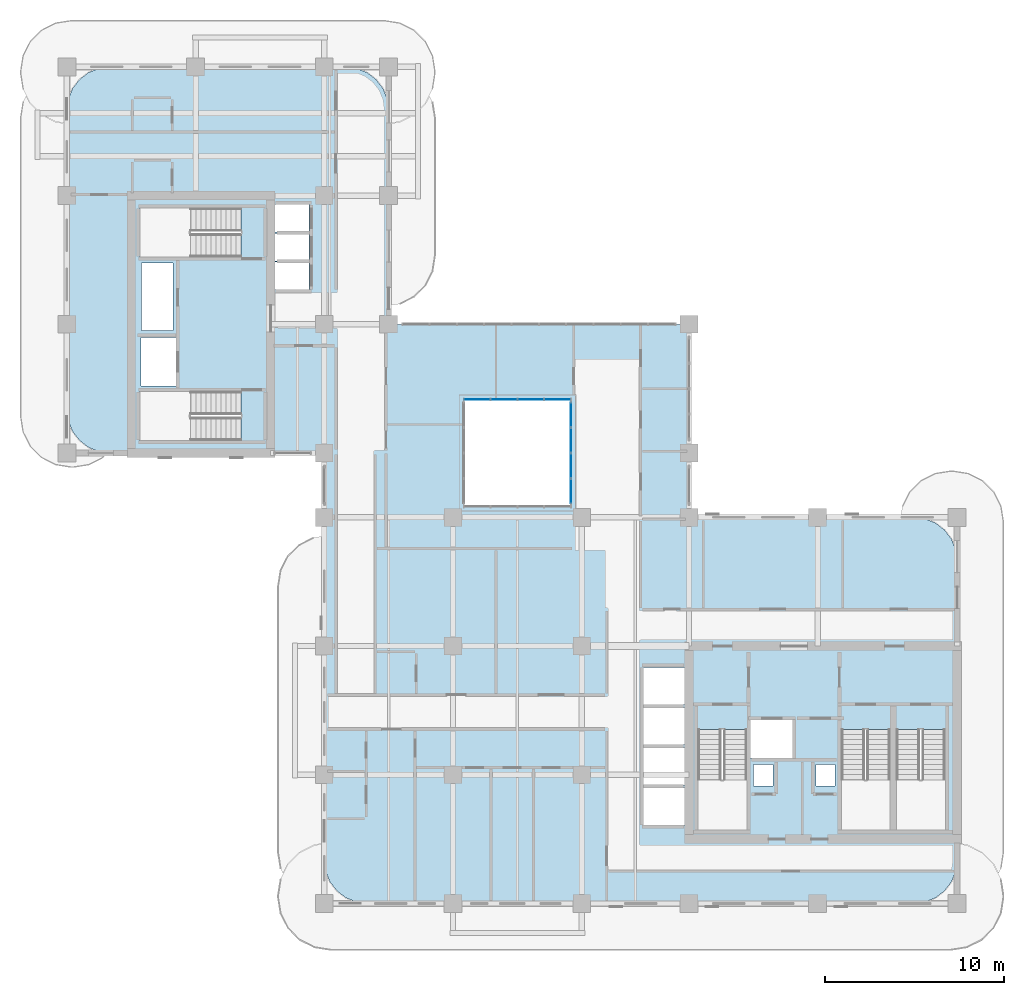
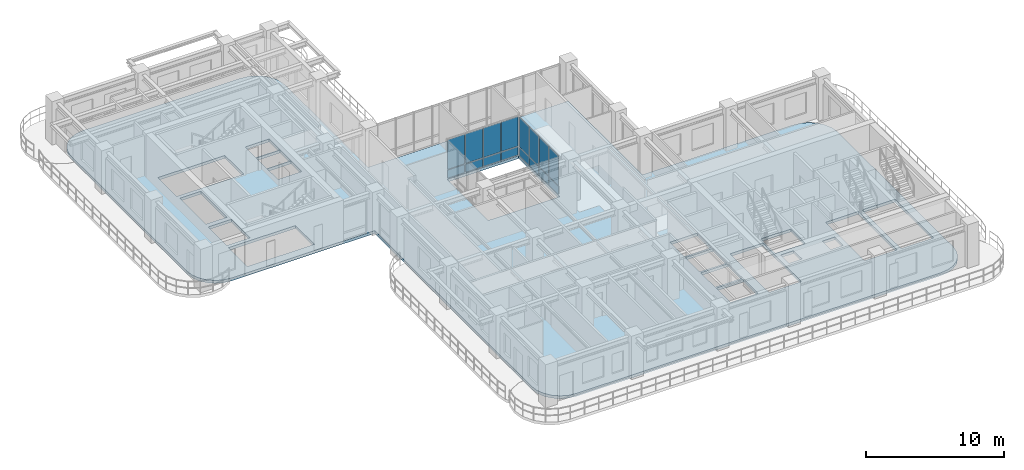
# One storey, part 8 of 20: 16 plates, 1 slab, 2 elements without a shape of their own.
"""IFC4 building model written with IfcOpenShell, lengths in metres."""

from ifc_helpers import new_model, si_unit, derived_unit, direction, frame, origin, origin_2d, place, context, subcontext, project, spatial, polyline, rectangle, outline, extrude, source, transform, mapped, material, layer, layer_set, type_object, element, aggregate, save


model = new_model("IFC4")

# Units and contexts
model_context = context("Model", 3, precision=1e-05, world=origin(), true_north=direction((0.0, 1.0)))
body_context = subcontext(model_context, "Body", "Model", "MODEL_VIEW")
ifc_project = project(units=[si_unit("LENGTHUNIT", "METRE"), si_unit("AREAUNIT", "SQUARE_METRE"), si_unit("VOLUMEUNIT", "CUBIC_METRE"), si_unit("PLANEANGLEUNIT", "RADIAN"), si_unit("MASSUNIT", "GRAM", prefix="KILO"), si_unit("THERMODYNAMICTEMPERATUREUNIT", "KELVIN"), si_unit("POWERUNIT", "WATT"), derived_unit("THERMALTRANSMITTANCEUNIT", [(si_unit("POWERUNIT", "WATT"), 1), (si_unit("AREAUNIT", "SQUARE_METRE"), -1), (si_unit("THERMODYNAMICTEMPERATUREUNIT", "KELVIN"), -1)])], contexts=[model_context])

# Site, building, storey
site_placement = place(None, origin())
site = spatial("IfcSite", under=ifc_project, at=site_placement, CompositionType="ELEMENT")
building_placement = place(site_placement, origin())
building = spatial("IfcBuilding", under=site, at=building_placement, Name="Zahravan Archway Hotel and Residences", CompositionType="ELEMENT")
storey_placement = place(building_placement, frame((0.0, 0.0, 177.25)))
storey = spatial("IfcBuildingStorey", under=building, at=storey_placement, Name="L44", CompositionType="ELEMENT", Elevation=177.25)

# Slab
ifc_material_1 = material(Name="Concrete C45/55", Category="concrete")
ifc_layer_1 = layer(ifc_material_1, 0.25, Name="Concrete C45/55", Category="concrete")
ifc_layer_set_1 = layer_set([ifc_layer_1], Name="Concrete C45/55")
slab_type = type_object("IfcSlabType", Name="SLB-FLR-250", PredefinedType="FLOOR", material=ifc_layer_set_1)
slab_placement = place(storey_placement, frame((0.0, 0.0, -0.25)))
element("IfcSlab", 1, at=slab_placement, inside=storey, type_object=slab_type, Name="L44 Floor Slab LB", PredefinedType="FLOOR", context=body_context, shape_type="SweptSolid", body=[
    extrude(outline(polyline([(34.800048828125, 21.60009765625), (34.800048828125, 32.39990234375), (18.0, 32.39990234375), (18.0, 44.39990234375), (17.918212890625, 45.021240234375), (17.678466796875, 45.60009765625), (17.297119140625, 46.09716796875), (16.800048828125, 46.478515625), (16.22119140625, 46.71826171875), (15.60009765625, 46.800048828125), (2.39990234375, 46.800048828125), (1.77880859375, 46.71826171875), (1.199951171875, 46.478515625), (0.702880859375, 46.09716796875), (0.321533203125, 45.60009765625), (0.081787109375, 45.021240234375), (0.0, 44.39990234375), (0.0, 27.60009765625), (0.081787109375, 26.978759765625), (0.321533203125, 26.39990234375), (0.702880859375, 25.90283203125), (1.199951171875, 25.521484375), (1.77880859375, 25.28173828125), (2.39990234375, 25.199951171875), (14.39990234375, 25.199951171875), (14.39990234375, 19.199951171875), (14.39990234375, 19.10009765625), (14.39990234375, 2.39990234375), (14.481689453125, 1.77880859375), (14.721435546875, 1.199951171875), (15.102783203125, 0.702880859375), (15.60009765625, 0.321533203125), (16.1787109375, 0.081787109375), (16.800048828125, 0.0), (47.39990234375, 0.0), (48.021240234375, 0.081787109375), (48.60009765625, 0.321533203125), (49.09716796875, 0.702880859375), (49.478515625, 1.199951171875), (49.71826171875, 1.77880859375), (49.800048828125, 2.39990234375), (49.800048828125, 19.199951171875), (49.71826171875, 19.8212890625), (49.478515625, 20.39990234375), (49.09716796875, 20.897216796875), (48.60009765625, 21.278564453125), (48.021240234375, 21.518310546875), (47.39990234375, 21.60009765625), (34.800048828125, 21.60009765625)]), holes=[polyline([(35.300048828125, 9.72998046875), (35.300048828125, 4.10009765625), (38.0400390625, 4.10009765625), (38.0400390625, 9.72998046875), (35.300048828125, 9.72998046875)]), polyline([(43.320068359375, 9.72998046875), (43.320068359375, 4.10009765625), (46.06005859375, 4.10009765625), (46.06005859375, 9.72998046875), (43.320068359375, 9.72998046875)]), polyline([(46.39990234375, 9.72998046875), (46.39990234375, 4.10009765625), (49.139892578125, 4.10009765625), (49.139892578125, 9.72998046875), (46.39990234375, 9.72998046875)]), polyline([(9.72998046875, 28.639892578125), (4.10009765625, 28.639892578125), (4.10009765625, 25.89990234375), (9.72998046875, 25.89990234375), (9.72998046875, 28.639892578125)]), polyline([(9.72998046875, 38.89990234375), (4.10009765625, 38.89990234375), (4.10009765625, 36.159912109375), (9.72998046875, 36.159912109375), (9.72998046875, 38.89990234375)]), polyline([(38.179931640625, 8.14990234375), (40.699951171875, 8.14990234375), (40.699951171875, 10.25), (38.179931640625, 10.25), (38.179931640625, 8.14990234375)]), polyline([(4.14990234375, 28.949951171875), (6.10009765625, 28.949951171875), (6.10009765625, 31.64990234375), (4.14990234375, 31.64990234375), (4.14990234375, 28.949951171875)]), polyline([(11.550048828125, 34.35009765625), (13.550048828125, 34.35009765625), (13.550048828125, 35.889892578125), (11.550048828125, 35.889892578125), (11.550048828125, 34.35009765625)]), polyline([(11.550048828125, 35.949951171875), (13.550048828125, 35.949951171875), (13.550048828125, 37.489990234375), (11.550048828125, 37.489990234375), (11.550048828125, 35.949951171875)]), polyline([(11.550048828125, 37.550048828125), (13.550048828125, 37.550048828125), (13.550048828125, 39.090087890625), (11.550048828125, 39.090087890625), (11.550048828125, 37.550048828125)]), polyline([(32.25, 4.39990234375), (34.550048828125, 4.39990234375), (34.550048828125, 6.47998046875), (32.25, 6.47998046875), (32.25, 4.39990234375)]), polyline([(32.25, 6.639892578125), (34.550048828125, 6.639892578125), (34.550048828125, 8.719970703125), (32.25, 8.719970703125), (32.25, 6.639892578125)]), polyline([(32.25, 8.8798828125), (34.550048828125, 8.8798828125), (34.550048828125, 10.9599609375), (32.25, 10.9599609375), (32.25, 8.8798828125)]), polyline([(32.25, 11.1201171875), (34.550048828125, 11.1201171875), (34.550048828125, 13.199951171875), (32.25, 13.199951171875), (32.25, 11.1201171875)]), polyline([(22.199951171875, 22.199951171875), (28.199951171875, 22.199951171875), (28.199951171875, 28.199951171875), (22.199951171875, 28.199951171875), (22.199951171875, 22.199951171875)]), polyline([(38.419921875, 6.56005859375), (39.5, 6.56005859375), (39.5, 7.780029296875), (38.419921875, 7.780029296875), (38.419921875, 6.56005859375)]), polyline([(41.89990234375, 6.56005859375), (42.9599609375, 6.56005859375), (42.9599609375, 7.780029296875), (41.89990234375, 7.780029296875), (41.89990234375, 6.56005859375)]), polyline([(4.179931640625, 32.050048828125), (5.93994140625, 32.050048828125), (5.93994140625, 35.840087890625), (4.179931640625, 35.840087890625), (4.179931640625, 32.050048828125)])]), origin(), (0.0, 0.0, 1.0), 0.25),
])

# Curtain wall, plates
ifc_material_2 = material(Name="Bronze-Anodized Unitised Aluminium & Low-E Glass", Category="aluminium")
ifc_layer_2 = layer(ifc_material_2, 0.179931640625, Name="Bronze-Anodized Unitised Aluminium & Low-E Glass", Category="aluminium")
ifc_layer_set_2 = layer_set([ifc_layer_2], Name="Bronze-Anodized Unitised Aluminium & Low-E Glass")
curtain_wall_type = type_object("IfcCurtainWallType", Name="CW-ATR-GLAZ", PredefinedType="NOTDEFINED", material=ifc_layer_set_2)
curtain_wall_1_placement = place(storey_placement, origin())
curtain_wall_1 = element("IfcCurtainWall", 2, at=curtain_wall_1_placement, inside=storey, type_object=curtain_wall_type, Name="L44 Curtain Wall CW-ATR-L44-N-1", PredefinedType="NOTDEFINED")
ifc_material_3 = material(Name="Insulated Terracotta Spandrel Panel", Category="masonry")
ifc_layer_3 = layer(ifc_material_3, 0.0400390625, Name="Insulated Terracotta Spandrel Panel", Category="masonry")
ifc_layer_set_3 = layer_set([ifc_layer_3], Name="Insulated Terracotta Spandrel Panel")
plate_type_1 = type_object("IfcPlateType", Name="CWP-SPN-40", PredefinedType="SHEET", material=ifc_layer_set_3)
shared_shape_1 = source(origin(), body_context, "Body", "SweptSolid", [
    extrude(rectangle(XDim=1.419921875, YDim=0.0400390625, at=origin_2d()), origin(), (0.0, 0.0, 1.0), 0.7099609375),
])
plate_1_placement = place(storey_placement, frame((22.949951171875, 28.199951171875, 0.10009765625), z_axis=(0.0, 0.0, 1.0), x_axis=(1.0, 0.0, 0.0)))
plate_1 = element("IfcPlate", 3, at=plate_1_placement, type_object=plate_type_1, Name="CW-ATR-L44-N-1 Spandrel Panel 0", PredefinedType="SHEET", context=body_context, shape_type="MappedRepresentation", body=[
    mapped(shared_shape_1, transform((0.0, 0.0, 0.0), scale=1.0)),
])
plate_2_placement = place(storey_placement, frame((24.449951171875, 28.199951171875, 0.10009765625), z_axis=(0.0, 0.0, 1.0), x_axis=(1.0, 0.0, 0.0)))
plate_2 = element("IfcPlate", 4, at=plate_2_placement, type_object=plate_type_1, Name="CW-ATR-L44-N-1 Spandrel Panel 1", PredefinedType="SHEET", context=body_context, shape_type="MappedRepresentation", body=[
    mapped(shared_shape_1, transform((0.0, 0.0, 0.0), scale=1.0)),
])
plate_3_placement = place(storey_placement, frame((25.949951171875, 28.199951171875, 0.10009765625), z_axis=(0.0, 0.0, 1.0), x_axis=(1.0, 0.0, 0.0)))
plate_3 = element("IfcPlate", 5, at=plate_3_placement, type_object=plate_type_1, Name="CW-ATR-L44-N-1 Spandrel Panel 2", PredefinedType="SHEET", context=body_context, shape_type="MappedRepresentation", body=[
    mapped(shared_shape_1, transform((0.0, 0.0, 0.0), scale=1.0)),
])
plate_4_placement = place(storey_placement, frame((27.449951171875, 28.199951171875, 0.10009765625), z_axis=(0.0, 0.0, 1.0), x_axis=(1.0, 0.0, 0.0)))
plate_4 = element("IfcPlate", 6, at=plate_4_placement, type_object=plate_type_1, Name="CW-ATR-L44-N-1 Spandrel Panel 3", PredefinedType="SHEET", context=body_context, shape_type="MappedRepresentation", body=[
    mapped(shared_shape_1, transform((0.0, 0.0, 0.0), scale=1.0)),
])

curtain_wall_2_placement = place(storey_placement, origin())
curtain_wall_2 = element("IfcCurtainWall", 7, at=curtain_wall_2_placement, inside=storey, type_object=curtain_wall_type, Name="L44 Curtain Wall CW-ATR-L44-E-1", PredefinedType="NOTDEFINED")
shared_shape_2 = source(origin(), body_context, "Body", "SweptSolid", [
    extrude(rectangle(XDim=1.344970703125, YDim=0.0400390625, at=origin_2d()), origin(), (0.0, 0.0, 1.0), 0.7099609375),
])
plate_5_placement = place(storey_placement, frame((28.199951171875, 23.0625, 0.10009765625), z_axis=(0.0, 0.0, 1.0), x_axis=(0.0, 1.0, 0.0)))
plate_5 = element("IfcPlate", 8, at=plate_5_placement, type_object=plate_type_1, Name="CW-ATR-L44-E-1 Spandrel Panel 0", PredefinedType="SHEET", context=body_context, shape_type="MappedRepresentation", body=[
    mapped(shared_shape_2, transform((0.0, 0.0, 0.0), scale=1.0)),
])
plate_6_placement = place(storey_placement, frame((28.199951171875, 24.487548828125, 0.10009765625), z_axis=(0.0, 0.0, 1.0), x_axis=(0.0, 1.0, 0.0)))
plate_6 = element("IfcPlate", 9, at=plate_6_placement, type_object=plate_type_1, Name="CW-ATR-L44-E-1 Spandrel Panel 1", PredefinedType="SHEET", context=body_context, shape_type="MappedRepresentation", body=[
    mapped(shared_shape_2, transform((0.0, 0.0, 0.0), scale=1.0)),
])
plate_7_placement = place(storey_placement, frame((28.199951171875, 25.91259765625, 0.10009765625), z_axis=(0.0, 0.0, 1.0), x_axis=(0.0, 1.0, 0.0)))
plate_7 = element("IfcPlate", 10, at=plate_7_placement, type_object=plate_type_1, Name="CW-ATR-L44-E-1 Spandrel Panel 2", PredefinedType="SHEET", context=body_context, shape_type="MappedRepresentation", body=[
    mapped(shared_shape_2, transform((0.0, 0.0, 0.0), scale=1.0)),
])
plate_8_placement = place(storey_placement, frame((28.199951171875, 27.33740234375, 0.10009765625), z_axis=(0.0, 0.0, 1.0), x_axis=(0.0, 1.0, 0.0)))
plate_8 = element("IfcPlate", 11, at=plate_8_placement, type_object=plate_type_1, Name="CW-ATR-L44-E-1 Spandrel Panel 3", PredefinedType="SHEET", context=body_context, shape_type="MappedRepresentation", body=[
    mapped(shared_shape_2, transform((0.0, 0.0, 0.0), scale=1.0)),
])

# Plate
ifc_material_4 = material(Name="Double-Silver Low-E Insulated Vision Glass", Category="glass")
ifc_layer_4 = layer(ifc_material_4, 0.028076171875, Name="Double-Silver Low-E Insulated Vision Glass", Category="glass")
ifc_layer_set_4 = layer_set([ifc_layer_4], Name="Double-Silver Low-E Insulated Vision Glass")
plate_type_2 = type_object("IfcPlateType", Name="CWP-GLZ-28", PredefinedType="CURTAIN_PANEL", material=ifc_layer_set_4)
shared_shape_3 = source(origin(), body_context, "Body", "SweptSolid", [
    extrude(rectangle(XDim=1.419921875, YDim=0.028076171875, at=origin_2d()), origin(), (0.0, 0.0, 1.0), 2.610107421875),
])
plate_9_placement = place(storey_placement, frame((22.949951171875, 28.199951171875, 0.89013671875), z_axis=(0.0, 0.0, 1.0), x_axis=(1.0, 0.0, 0.0)))
plate_9 = element("IfcPlate", 12, at=plate_9_placement, type_object=plate_type_2, Name="CW-ATR-L44-N-1 Low-E Vision Panel 0", PredefinedType="CURTAIN_PANEL", context=body_context, shape_type="MappedRepresentation", body=[
    mapped(shared_shape_3, transform((0.0, 0.0, 0.0), scale=1.0)),
])

plate_10_placement = place(storey_placement, frame((24.449951171875, 28.199951171875, 0.89013671875), z_axis=(0.0, 0.0, 1.0), x_axis=(1.0, 0.0, 0.0)))
plate_10 = element("IfcPlate", 13, at=plate_10_placement, type_object=plate_type_2, Name="CW-ATR-L44-N-1 Low-E Vision Panel 1", PredefinedType="CURTAIN_PANEL", context=body_context, shape_type="MappedRepresentation", body=[
    mapped(shared_shape_3, transform((0.0, 0.0, 0.0), scale=1.0)),
])

plate_11_placement = place(storey_placement, frame((25.949951171875, 28.199951171875, 0.89013671875), z_axis=(0.0, 0.0, 1.0), x_axis=(1.0, 0.0, 0.0)))
plate_11 = element("IfcPlate", 14, at=plate_11_placement, type_object=plate_type_2, Name="CW-ATR-L44-N-1 Low-E Vision Panel 2", PredefinedType="CURTAIN_PANEL", context=body_context, shape_type="MappedRepresentation", body=[
    mapped(shared_shape_3, transform((0.0, 0.0, 0.0), scale=1.0)),
])

plate_12_placement = place(storey_placement, frame((27.449951171875, 28.199951171875, 0.89013671875), z_axis=(0.0, 0.0, 1.0), x_axis=(1.0, 0.0, 0.0)))
plate_12 = element("IfcPlate", 15, at=plate_12_placement, type_object=plate_type_2, Name="CW-ATR-L44-N-1 Low-E Vision Panel 3", PredefinedType="CURTAIN_PANEL", context=body_context, shape_type="MappedRepresentation", body=[
    mapped(shared_shape_3, transform((0.0, 0.0, 0.0), scale=1.0)),
])

aggregate(curtain_wall_1, [plate_1, plate_9, plate_2, plate_10, plate_3, plate_11, plate_4, plate_12])

shared_shape_4 = source(origin(), body_context, "Body", "SweptSolid", [
    extrude(rectangle(XDim=1.344970703125, YDim=0.028076171875, at=origin_2d()), origin(), (0.0, 0.0, 1.0), 2.610107421875),
])
plate_13_placement = place(storey_placement, frame((28.199951171875, 23.0625, 0.89013671875), z_axis=(0.0, 0.0, 1.0), x_axis=(0.0, 1.0, 0.0)))
plate_13 = element("IfcPlate", 16, at=plate_13_placement, type_object=plate_type_2, Name="CW-ATR-L44-E-1 Low-E Vision Panel 0", PredefinedType="CURTAIN_PANEL", context=body_context, shape_type="MappedRepresentation", body=[
    mapped(shared_shape_4, transform((0.0, 0.0, 0.0), scale=1.0)),
])

plate_14_placement = place(storey_placement, frame((28.199951171875, 24.487548828125, 0.89013671875), z_axis=(0.0, 0.0, 1.0), x_axis=(0.0, 1.0, 0.0)))
plate_14 = element("IfcPlate", 17, at=plate_14_placement, type_object=plate_type_2, Name="CW-ATR-L44-E-1 Low-E Vision Panel 1", PredefinedType="CURTAIN_PANEL", context=body_context, shape_type="MappedRepresentation", body=[
    mapped(shared_shape_4, transform((0.0, 0.0, 0.0), scale=1.0)),
])

plate_15_placement = place(storey_placement, frame((28.199951171875, 25.91259765625, 0.89013671875), z_axis=(0.0, 0.0, 1.0), x_axis=(0.0, 1.0, 0.0)))
plate_15 = element("IfcPlate", 18, at=plate_15_placement, type_object=plate_type_2, Name="CW-ATR-L44-E-1 Low-E Vision Panel 2", PredefinedType="CURTAIN_PANEL", context=body_context, shape_type="MappedRepresentation", body=[
    mapped(shared_shape_4, transform((0.0, 0.0, 0.0), scale=1.0)),
])

plate_16_placement = place(storey_placement, frame((28.199951171875, 27.33740234375, 0.89013671875), z_axis=(0.0, 0.0, 1.0), x_axis=(0.0, 1.0, 0.0)))
plate_16 = element("IfcPlate", 19, at=plate_16_placement, type_object=plate_type_2, Name="CW-ATR-L44-E-1 Low-E Vision Panel 3", PredefinedType="CURTAIN_PANEL", context=body_context, shape_type="MappedRepresentation", body=[
    mapped(shared_shape_4, transform((0.0, 0.0, 0.0), scale=1.0)),
])

aggregate(curtain_wall_2, [plate_5, plate_13, plate_6, plate_14, plate_7, plate_15, plate_8, plate_16])

save(model, "model.ifc")
